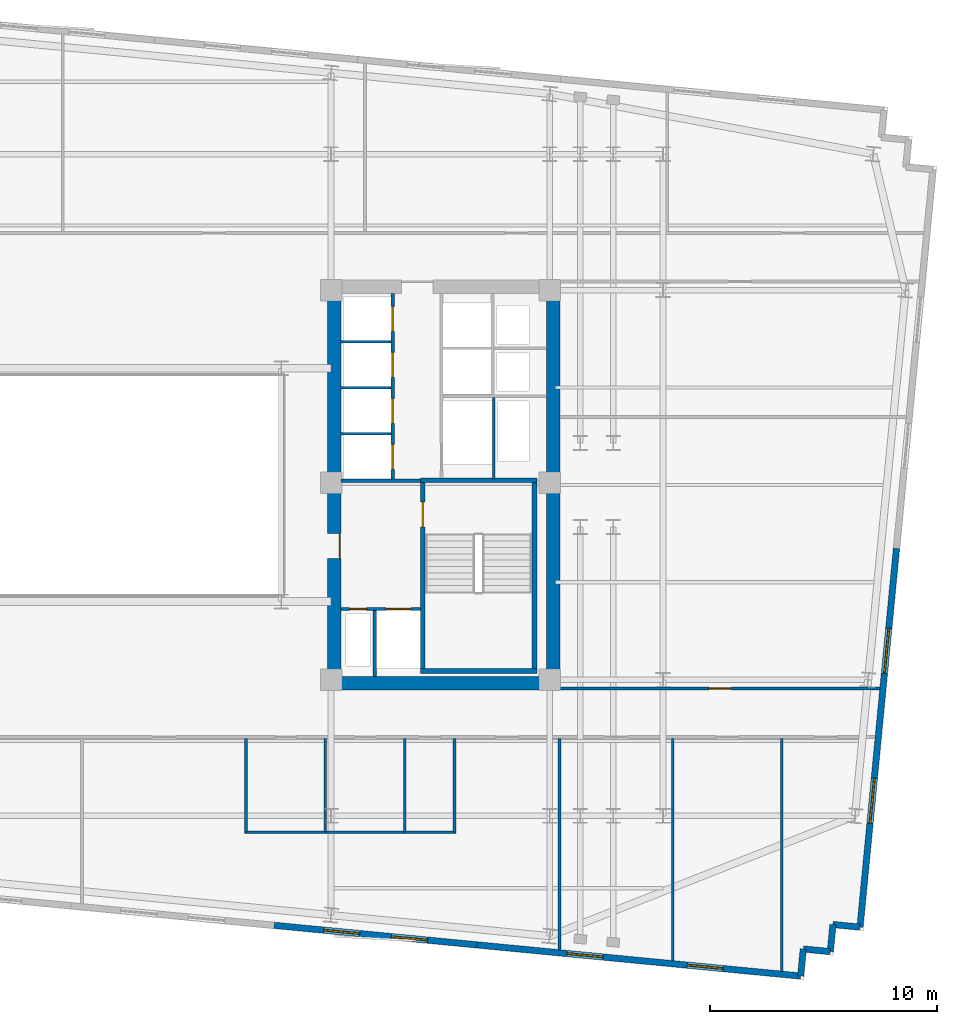
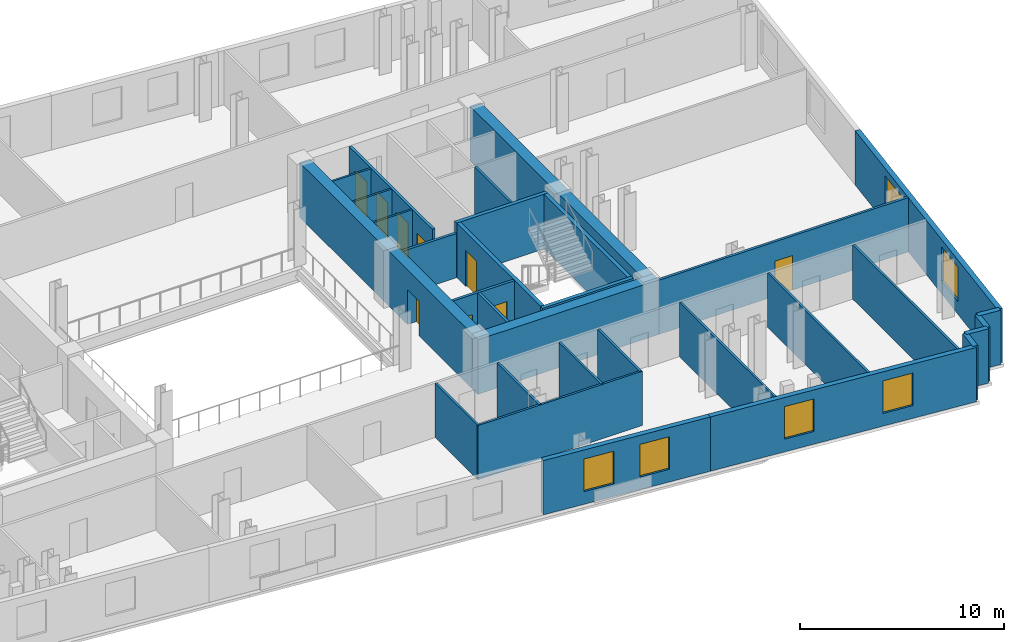
# One storey, part 5 of 9: 31 walls, 9 doors, 6 windows, 15 openings.
"""IFC4 building model written with IfcOpenShell, lengths in metres."""

from ifc_helpers import new_model, si_unit, direction, frame, frame_2d, origin, place, context, subcontext, project, spatial, rectangle, extrude, material, layer, layer_set, type_object, element, fill, save


model = new_model("IFC4")

# Units and contexts
model_context = context("Model", 3, precision=1e-05, world=origin(), true_north=direction((0.0, 1.0)))
body_context = subcontext(model_context, "Body", "Model", "MODEL_VIEW")
ifc_project = project(units=[si_unit("LENGTHUNIT", "METRE"), si_unit("AREAUNIT", "SQUARE_METRE"), si_unit("VOLUMEUNIT", "CUBIC_METRE"), si_unit("PLANEANGLEUNIT", "RADIAN"), si_unit("MASSUNIT", "GRAM", prefix="KILO")], contexts=[model_context])

# Site, building, storey
site_placement = place(None, origin())
site = spatial("IfcSite", under=ifc_project, at=site_placement, CompositionType="ELEMENT")
building_placement = place(site_placement, origin())
building = spatial("IfcBuilding", under=site, at=building_placement, Name="Velakula Bourse", CompositionType="ELEMENT")
storey_placement = place(building_placement, frame((0.0, 0.0, 170.75)))
storey = spatial("IfcBuildingStorey", under=building, at=storey_placement, Name="L46", CompositionType="ELEMENT", Elevation=170.75)

# Wall, opening, door
ifc_material_1 = material(Name="Concrete M50 (fck 50 MPa)", Category="concrete")
ifc_layer_1 = layer(ifc_material_1, 0.2099609375, Name="Concrete M50 (fck 50 MPa)", Category="concrete")
ifc_layer_set_1 = layer_set([ifc_layer_1], Name="Concrete M50 (fck 50 MPa)")
wall_type_1 = type_object("IfcWallType", Name="WL-CORE-210", PredefinedType="SHEAR", material=ifc_layer_set_1)
wall_1_placement = place(storey_placement, frame((12.9951171875, -8.10009765625, 0.0), z_axis=(0.0, 0.0, 1.0), x_axis=(0.0, 1.0, 0.0)))
wall_1 = element("IfcWall", 1, at=wall_1_placement, inside=storey, type_object=wall_type_1, Name="L46 Core E Stairwell Shear Wall IN", PredefinedType="SHEAR", context=body_context, shape_type="SweptSolid", body=[
    extrude(rectangle(XDim=8.2001953125, YDim=0.2099609375, at=frame_2d((4.10009765625, 0.0))), origin(), (0.0, 0.0, 1.0), 3.27001953125),
])
opening_1_placement = place(wall_1_placement, frame((6.25, 0.0, 0.0)))
opening_1 = element("IfcOpeningElement", 2, at=opening_1_placement, cuts=wall_1, Name="Opening D-STE1", PredefinedType="OPENING", context=body_context, shape_type="SweptSolid", body=[
    extrude(rectangle(XDim=1.10009765625, YDim=2.14990234375, at=frame_2d((0.550048828125, 1.074951171875))), frame((0.0, 0.114990234375, 0.0), z_axis=(0.0, -1.0, 0.0), x_axis=(1.0, 0.0, 0.0)), (0.0, 0.0, 1.0), 0.22998046875),
])
ifc_material_2 = material(Name="Galvanised painted hollow steel fire door", Category="steel")
door_type_1 = type_object("IfcDoorType", Name="DR-FD120-1100x2150", OperationType="NOTDEFINED", PredefinedType="DOOR", material=ifc_material_2)
door_1_placement = place(opening_1_placement, origin())
door_1 = element("IfcDoor", 3, at=door_1_placement, inside=storey, type_object=door_type_1, Name="L46 Stair ST-E1 Fire Door", OperationType="SINGLE_SWING_RIGHT", OverallHeight=2.14990234375, OverallWidth=1.10009765625, PredefinedType="DOOR", context=body_context, shape_type="SweptSolid", body=[
    extrude(rectangle(XDim=1.10009765625, YDim=2.14990234375, at=frame_2d((0.550048828125, 1.074951171875))), frame((0.0, 0.02490234375, 0.0), z_axis=(0.0, -1.0, 0.0), x_axis=(1.0, 0.0, 0.0)), (0.0, 0.0, 1.0), 0.050048828125),
])
fill(opening_1, door_1)

# Walls
wall_2_placement = place(storey_placement, frame((17.925048828125, -8.10009765625, 0.0), z_axis=(0.0, 0.0, 1.0), x_axis=(0.0, 1.0, 0.0)))
element("IfcWall", 4, at=wall_2_placement, inside=storey, type_object=wall_type_1, Name="L46 Core E Stairwell Shear Wall OUT", PredefinedType="SHEAR", context=body_context, shape_type="SweptSolid", body=[
    extrude(rectangle(XDim=8.2001953125, YDim=0.2099609375, at=frame_2d((4.10009765625, 0.0))), origin(), (0.0, 0.0, 1.0), 3.27001953125),
])
for number, where, z_axis, x_axis, name in (
    (5, (12.889892578125, -8.205078125, 0.0), (0.0, 0.0, 1.0), (1.0, 0.0, 0.0), "L46 Core E Stairwell Shear Wall S"),
    (6, (18.030029296875, 0.205078125, 0.0), (0.0, 0.0, 1.0), (-1.0, 0.0, 0.0), "L46 Core E Stairwell Shear Wall N"),
):
    element("IfcWall", number, at=place(storey_placement, frame(where, z_axis=z_axis, x_axis=x_axis)), inside=storey, type_object=wall_type_1, Name=name, PredefinedType="SHEAR", context=body_context, shape_type="SweptSolid", body=[
        extrude(rectangle(XDim=5.14013671875, YDim=0.2099609375, at=frame_2d((2.570068359375, 0.0))), origin(), (0.0, 0.0, 1.0), 3.27001953125),
    ])
ifc_material_3 = material(Name="Concrete M70 (fck 70 MPa)", Category="concrete")
ifc_layer_2 = layer(ifc_material_3, 0.60009765625, Name="Concrete M70 (fck 70 MPa)", Category="concrete")
ifc_layer_set_2 = layer_set([ifc_layer_2], Name="Concrete M70 (fck 70 MPa)")
wall_type_2 = type_object("IfcWallType", Name="WL-CORE-600", PredefinedType="SHEAR", material=ifc_layer_set_2)
wall_3_placement = place(storey_placement, frame((8.800048828125, -8.75, 0.0), z_axis=(0.0, 0.0, 1.0), x_axis=(1.0, 0.0, 0.0)))
element("IfcWall", 7, at=wall_3_placement, inside=storey, type_object=wall_type_2, Name="L46 Core E Shear Wall S", PredefinedType="SHEAR", context=body_context, shape_type="SweptSolid", body=[
    extrude(rectangle(XDim=10.25, YDim=0.60009765625, at=frame_2d((5.125, 0.0))), origin(), (0.0, 0.0, 1.0), 3.27001953125),
])

# Wall, opening, door
wall_4_placement = place(storey_placement, frame((9.10009765625, -8.449951171875, 0.0), z_axis=(0.0, 0.0, 1.0), x_axis=(0.0, 1.0, 0.0)))
wall_4 = element("IfcWall", 8, at=wall_4_placement, inside=storey, type_object=wall_type_2, Name="L46 Core E Shear Wall W", PredefinedType="SHEAR", context=body_context, shape_type="SweptSolid", body=[
    extrude(rectangle(XDim=16.89990234375, YDim=0.60009765625, at=frame_2d((8.449951171875, 0.0))), origin(), (0.0, 0.0, 1.0), 3.27001953125),
])
opening_2_placement = place(wall_4_placement, frame((5.199951171875, 0.0, 0.0)))
opening_2 = element("IfcOpeningElement", 9, at=opening_2_placement, cuts=wall_4, Name="Opening D-FLE", PredefinedType="OPENING", context=body_context, shape_type="SweptSolid", body=[
    extrude(rectangle(XDim=1.10009765625, YDim=2.080078125, at=frame_2d((0.550048828125, 1.0400390625))), frame((0.0, 0.31005859375, 0.0), z_axis=(0.0, -1.0, 0.0), x_axis=(1.0, 0.0, 0.0)), (0.0, 0.0, 1.0), 0.6201171875),
])
door_type_2 = type_object("IfcDoorType", Name="DR-FD120-1100", OperationType="NOTDEFINED", PredefinedType="DOOR", material=ifc_material_2)
door_2_placement = place(opening_2_placement, origin())
door_2 = element("IfcDoor", 10, at=door_2_placement, inside=storey, type_object=door_type_2, Name="L46 Firefighting Lobby E Corridor Fire Door", OperationType="SINGLE_SWING_RIGHT", OverallHeight=2.080078125, OverallWidth=1.10009765625, PredefinedType="DOOR", context=body_context, shape_type="SweptSolid", body=[
    extrude(rectangle(XDim=1.10009765625, YDim=2.080078125, at=frame_2d((0.550048828125, 1.0400390625))), frame((0.0, -0.205078125, 0.0), z_axis=(0.0, -1.0, 0.0), x_axis=(1.0, 0.0, 0.0)), (0.0, 0.0, 1.0), 0.050048828125),
])
fill(opening_2, door_2)

# Wall
wall_5_placement = place(storey_placement, frame((18.75, -8.449951171875, 0.0), z_axis=(0.0, 0.0, 1.0), x_axis=(0.0, 1.0, 0.0)))
element("IfcWall", 11, at=wall_5_placement, inside=storey, type_object=wall_type_2, Name="L46 Core E Shear Wall E", PredefinedType="SHEAR", context=body_context, shape_type="SweptSolid", body=[
    extrude(rectangle(XDim=16.89990234375, YDim=0.60009765625, at=frame_2d((8.449951171875, 0.0))), origin(), (0.0, 0.0, 1.0), 3.27001953125),
])

# Wall, openings, windows
ifc_material_4 = material(Name="Red kilned clay facing brick masonry", Category="masonry")
ifc_layer_3 = layer(ifc_material_4, 0.280029296875, Name="Red kilned clay facing brick masonry", Category="masonry")
ifc_layer_set_3 = layer_set([ifc_layer_3], Name="Red kilned clay facing brick masonry")
wall_type_3 = type_object("IfcWallType", Name="WL-EXT-BRK-280", PredefinedType="STANDARD", material=ifc_layer_set_3)
wall_6_placement = place(storey_placement, frame((15.398681640625, -20.295654296875, 0.0), z_axis=(0.0, 0.0, 1.0), x_axis=(-0.995394455533, 0.09586385082, 0.0)))
wall_6 = element("IfcWall", 12, at=wall_6_placement, inside=storey, type_object=wall_type_3, Name="L46 S Brick Spandrel Wall B4", PredefinedType="STANDARD", context=body_context, shape_type="SweptSolid", body=[
    extrude(rectangle(XDim=9.000244140625, YDim=0.280029296875, at=frame_2d((4.5, 0.0))), origin(), (0.0, 0.0, 1.0), 3.25),
])
opening_3_placement = place(wall_6_placement, frame((2.199951171875, 0.0, 0.760009765625)))
opening_3 = element("IfcOpeningElement", 13, at=opening_3_placement, cuts=wall_6, Name="Opening W-02", PredefinedType="OPENING", context=body_context, shape_type="SweptSolid", body=[
    extrude(rectangle(XDim=1.60009765625, YDim=1.949951171875, at=frame_2d((0.800048828125, 0.97509765625))), frame((0.0, 0.14990234375, 0.0), z_axis=(0.0, -1.0, 0.0), x_axis=(1.0, 0.0, 0.0)), (0.0, 0.0, 1.0), 0.300048828125),
])
opening_4_placement = place(wall_6_placement, frame((5.199951171875, 0.0, 0.760009765625)))
opening_4 = element("IfcOpeningElement", 14, at=opening_4_placement, cuts=wall_6, Name="Opening W-02", PredefinedType="OPENING", context=body_context, shape_type="SweptSolid", body=[
    extrude(rectangle(XDim=1.60009765625, YDim=1.949951171875, at=frame_2d((0.800048828125, 0.97509765625))), frame((0.0, 0.14990234375, 0.0), z_axis=(0.0, -1.0, 0.0), x_axis=(1.0, 0.0, 0.0)), (0.0, 0.0, 1.0), 0.300048828125),
])
ifc_material_5 = material(Name="Double-glazed solar-control Low-E glass", Category="glass")
window_type_1 = type_object("IfcWindowType", Name="WIN-TWR-1600x2100", PartitioningType="SINGLE_PANEL", PredefinedType="WINDOW", material=ifc_material_5)
window_1_placement = place(opening_3_placement, origin())
window_1 = element("IfcWindow", 15, at=window_1_placement, inside=storey, type_object=window_type_1, Name="L46 Deep-Set Recessed Window 1", OverallHeight=1.949951171875, OverallWidth=1.60009765625, PartitioningType="SINGLE_PANEL", PredefinedType="WINDOW", context=body_context, shape_type="SweptSolid", body=[
    extrude(rectangle(XDim=1.60009765625, YDim=1.949951171875, at=frame_2d((0.800048828125, 0.97509765625))), frame((0.0, 0.030029296875, 0.0), z_axis=(0.0, -1.0, 0.0), x_axis=(1.0, 0.0, 0.0)), (0.0, 0.0, 1.0), 0.06005859375),
])
fill(opening_3, window_1)
window_2_placement = place(opening_4_placement, origin())
window_2 = element("IfcWindow", 16, at=window_2_placement, inside=storey, type_object=window_type_1, Name="L46 Deep-Set Recessed Window 2", OverallHeight=1.949951171875, OverallWidth=1.60009765625, PartitioningType="SINGLE_PANEL", PredefinedType="WINDOW", context=body_context, shape_type="SweptSolid", body=[
    extrude(rectangle(XDim=1.60009765625, YDim=1.949951171875, at=frame_2d((0.800048828125, 0.97509765625))), frame((0.0, 0.030029296875, 0.0), z_axis=(0.0, -1.0, 0.0), x_axis=(1.0, 0.0, 0.0)), (0.0, 0.0, 1.0), 0.06005859375),
])
fill(opening_4, window_2)

wall_7_placement = place(storey_placement, frame((29.672607421875, -21.669921875, 0.0), z_axis=(0.0, 0.0, 1.0), x_axis=(-0.995397230529, 0.095835032509, 0.0)))
wall_7 = element("IfcWall", 17, at=wall_7_placement, inside=storey, type_object=wall_type_3, Name="L46 S Brick Spandrel Wall B5", PredefinedType="STANDARD", context=body_context, shape_type="SweptSolid", body=[
    extrude(rectangle(XDim=14.33984375, YDim=0.280029296875, at=frame_2d((7.169921875, 0.0))), origin(), (0.0, 0.0, 1.0), 3.25),
])
opening_5_placement = place(wall_7_placement, frame((3.429931640625, 0.0, 0.760009765625)))
opening_5 = element("IfcOpeningElement", 18, at=opening_5_placement, cuts=wall_7, Name="Opening W-02", PredefinedType="OPENING", context=body_context, shape_type="SweptSolid", body=[
    extrude(rectangle(XDim=1.60009765625, YDim=1.949951171875, at=frame_2d((0.800048828125, 0.97509765625))), frame((0.0, 0.14990234375, 0.0), z_axis=(0.0, -1.0, 0.0), x_axis=(1.0, 0.0, 0.0)), (0.0, 0.0, 1.0), 0.300048828125),
])
opening_6_placement = place(wall_7_placement, frame((8.760009765625, 0.0, 0.760009765625)))
opening_6 = element("IfcOpeningElement", 19, at=opening_6_placement, cuts=wall_7, Name="Opening W-02", PredefinedType="OPENING", context=body_context, shape_type="SweptSolid", body=[
    extrude(rectangle(XDim=1.60009765625, YDim=1.949951171875, at=frame_2d((0.800048828125, 0.97509765625))), frame((0.0, 0.14990234375, 0.0), z_axis=(0.0, -1.0, 0.0), x_axis=(1.0, 0.0, 0.0)), (0.0, 0.0, 1.0), 0.300048828125),
])
window_3_placement = place(opening_5_placement, origin())
window_3 = element("IfcWindow", 20, at=window_3_placement, inside=storey, type_object=window_type_1, Name="L46 Deep-Set Recessed Window 1", OverallHeight=1.949951171875, OverallWidth=1.60009765625, PartitioningType="SINGLE_PANEL", PredefinedType="WINDOW", context=body_context, shape_type="SweptSolid", body=[
    extrude(rectangle(XDim=1.60009765625, YDim=1.949951171875, at=frame_2d((0.800048828125, 0.97509765625))), frame((0.0, 0.030029296875, 0.0), z_axis=(0.0, -1.0, 0.0), x_axis=(1.0, 0.0, 0.0)), (0.0, 0.0, 1.0), 0.06005859375),
])
fill(opening_5, window_3)
window_4_placement = place(opening_6_placement, origin())
window_4 = element("IfcWindow", 21, at=window_4_placement, inside=storey, type_object=window_type_1, Name="L46 Deep-Set Recessed Window 2", OverallHeight=1.949951171875, OverallWidth=1.60009765625, PartitioningType="SINGLE_PANEL", PredefinedType="WINDOW", context=body_context, shape_type="SweptSolid", body=[
    extrude(rectangle(XDim=1.60009765625, YDim=1.949951171875, at=frame_2d((0.800048828125, 0.97509765625))), frame((0.0, 0.030029296875, 0.0), z_axis=(0.0, -1.0, 0.0), x_axis=(1.0, 0.0, 0.0)), (0.0, 0.0, 1.0), 0.06005859375),
])
fill(opening_6, window_4)

wall_8_placement = place(storey_placement, frame((33.90087890625, -2.79833984375, 0.0), z_axis=(0.0, 0.0, 1.0), x_axis=(-0.095853434568, -0.99539545864, 0.0)))
wall_8 = element("IfcWall", 22, at=wall_8_placement, inside=storey, type_object=wall_type_3, Name="L46 E Brick End Wall W1", PredefinedType="STANDARD", context=body_context, shape_type="SweptSolid", body=[
    extrude(rectangle(XDim=16.7900390625, YDim=0.280029296875, at=frame_2d((8.39501953125, 0.0))), origin(), (0.0, 0.0, 1.0), 3.25),
])
opening_7_placement = place(wall_8_placement, frame((3.546630859375, 0.0, 0.760009765625)))
opening_7 = element("IfcOpeningElement", 23, at=opening_7_placement, cuts=wall_8, Name="Opening W-05", PredefinedType="OPENING", context=body_context, shape_type="SweptSolid", body=[
    extrude(rectangle(XDim=2.0, YDim=2.050048828125, at=frame_2d((1.0, 1.02490234375))), frame((0.0, 0.14990234375, 0.0), z_axis=(0.0, -1.0, 0.0), x_axis=(1.0, 0.0, 0.0)), (0.0, 0.0, 1.0), 0.300048828125),
])
opening_8_placement = place(wall_8_placement, frame((10.193359375, 0.0, 0.760009765625)))
opening_8 = element("IfcOpeningElement", 24, at=opening_8_placement, cuts=wall_8, Name="Opening W-05", PredefinedType="OPENING", context=body_context, shape_type="SweptSolid", body=[
    extrude(rectangle(XDim=2.0, YDim=2.050048828125, at=frame_2d((1.0, 1.02490234375))), frame((0.0, 0.14990234375, 0.0), z_axis=(0.0, -1.0, 0.0), x_axis=(1.0, 0.0, 0.0)), (0.0, 0.0, 1.0), 0.300048828125),
])
window_type_2 = type_object("IfcWindowType", Name="WIN-TWR-2000x2200", PartitioningType="DOUBLE_PANEL_VERTICAL", PredefinedType="WINDOW", material=ifc_material_5)
window_5_placement = place(opening_7_placement, origin())
window_5 = element("IfcWindow", 25, at=window_5_placement, inside=storey, type_object=window_type_2, Name="L46 Deep-Set Recessed Window 1", OverallHeight=2.050048828125, OverallWidth=2.0, PartitioningType="DOUBLE_PANEL_VERTICAL", PredefinedType="WINDOW", context=body_context, shape_type="SweptSolid", body=[
    extrude(rectangle(XDim=2.0, YDim=2.050048828125, at=frame_2d((1.0, 1.02490234375))), frame((0.0, 0.030029296875, 0.0), z_axis=(0.0, -1.0, 0.0), x_axis=(1.0, 0.0, 0.0)), (0.0, 0.0, 1.0), 0.06005859375),
])
fill(opening_7, window_5)
window_6_placement = place(opening_8_placement, origin())
window_6 = element("IfcWindow", 26, at=window_6_placement, inside=storey, type_object=window_type_2, Name="L46 Deep-Set Recessed Window 2", OverallHeight=2.050048828125, OverallWidth=2.0, PartitioningType="DOUBLE_PANEL_VERTICAL", PredefinedType="WINDOW", context=body_context, shape_type="SweptSolid", body=[
    extrude(rectangle(XDim=2.0, YDim=2.050048828125, at=frame_2d((1.0, 1.02490234375))), frame((0.0, 0.030029296875, 0.0), z_axis=(0.0, -1.0, 0.0), x_axis=(1.0, 0.0, 0.0)), (0.0, 0.0, 1.0), 0.06005859375),
])
fill(opening_8, window_6)

# Walls
for number, where, z_axis, x_axis, name in (
    (27, (29.672607421875, -21.669921875, 0.0), (0.0, 0.0, 1.0), (0.095836473879, 0.995397091755, 0.0), "L46 Serrated Corner Brick Wall SE-1"),
    (28, (29.78759765625, -20.4755859375, 0.0), (0.0, 0.0, 1.0), (0.995397091755, -0.095836473879, 0.0), "L46 Serrated Corner Brick Wall SE-2"),
):
    element("IfcWall", number, at=place(storey_placement, frame(where, z_axis=z_axis, x_axis=x_axis)), inside=storey, type_object=wall_type_3, Name=name, PredefinedType="STANDARD", context=body_context, shape_type="SweptSolid", body=[
        extrude(rectangle(XDim=1.199951171875, YDim=0.280029296875, at=frame_2d((0.60009765625, 0.0))), origin(), (0.0, 0.0, 1.0), 3.25),
    ])
wall_9_placement = place(storey_placement, frame((30.98193359375, -20.590576171875, 0.0), z_axis=(0.0, 0.0, 1.0), x_axis=(0.096018626938, 0.995379537303, 0.0)))
element("IfcWall", 29, at=wall_9_placement, inside=storey, type_object=wall_type_3, Name="L46 Serrated Corner Brick Wall SE-3", PredefinedType="STANDARD", context=body_context, shape_type="SweptSolid", body=[
    extrude(rectangle(XDim=1.2001953125, YDim=0.280029296875, at=frame_2d((0.60009765625, 0.0))), origin(), (0.0, 0.0, 1.0), 3.25),
])
wall_10_placement = place(storey_placement, frame((31.09716796875, -19.39599609375, 0.0), z_axis=(0.0, 0.0, 1.0), x_axis=(0.995397091755, -0.095836473879, 0.0)))
element("IfcWall", 30, at=wall_10_placement, inside=storey, type_object=wall_type_3, Name="L46 Serrated Corner Brick Wall SE-4", PredefinedType="STANDARD", context=body_context, shape_type="SweptSolid", body=[
    extrude(rectangle(XDim=1.199951171875, YDim=0.280029296875, at=frame_2d((0.60009765625, 0.0))), origin(), (0.0, 0.0, 1.0), 3.25),
])
ifc_material_6 = material(Name="Fire-rated double-layer gypsum drywall partition", Category="gypsum")
ifc_layer_4 = layer(ifc_material_6, 0.1201171875, Name="Fire-rated double-layer gypsum drywall partition", Category="gypsum")
ifc_layer_set_4 = layer_set([ifc_layer_4], Name="Fire-rated double-layer gypsum drywall partition")
wall_type_4 = type_object("IfcWallType", Name="WL-PART-120", PredefinedType="STANDARD", material=ifc_layer_set_4)
for number, where, z_axis, x_axis, name in (
    (31, (9.39990234375, 2.2548828125, 0.0), (0.0, 0.0, 1.0), (1.0, 0.0, 0.0), "L46 Interior Partition WL-CRE-L46-BDIV-0"),
    (32, (9.39990234375, 4.284912109375, 0.0), (0.0, 0.0, 1.0), (1.0, 0.0, 0.0), "L46 Interior Partition WL-CRE-L46-BDIV-1"),
    (33, (9.39990234375, 6.31494140625, 0.0), (0.0, 0.0, 1.0), (1.0, 0.0, 0.0), "L46 Interior Partition WL-CRE-L46-BDIV-2"),
):
    element("IfcWall", number, at=place(storey_placement, frame(where, z_axis=z_axis, x_axis=x_axis)), inside=storey, type_object=wall_type_4, Name=name, PredefinedType="STANDARD", context=body_context, shape_type="SweptSolid", body=[
        extrude(rectangle(XDim=2.2001953125, YDim=0.110107421875, at=frame_2d((1.10009765625, 0.0))), origin(), (0.0, 0.0, 1.0), 3.25),
    ])
wall_11_placement = place(storey_placement, frame((16.125, 0.27001953125, 0.0), z_axis=(0.0, 0.0, 1.0), x_axis=(0.0, 1.0, 0.0)))
element("IfcWall", 34, at=wall_11_placement, inside=storey, type_object=wall_type_4, Name="L46 Interior Partition WL-CRE-L46-SVL-E", PredefinedType="STANDARD", context=body_context, shape_type="SweptSolid", body=[
    extrude(rectangle(XDim=3.590087890625, YDim=0.1201171875, at=frame_2d((1.794921875, 0.0))), origin(), (0.0, 0.0, 1.0), 3.25),
])
wall_12_placement = place(storey_placement, frame((5.139892578125, -15.320068359375, 0.0), z_axis=(0.0, 0.0, 1.0), x_axis=(1.0, 0.0, 0.0)))
element("IfcWall", 35, at=wall_12_placement, inside=storey, type_object=wall_type_4, Name="L46 Interior Partition WL-WC-L46-BACK", PredefinedType="STANDARD", context=body_context, shape_type="SweptSolid", body=[
    extrude(rectangle(XDim=9.320068359375, YDim=0.1201171875, at=frame_2d((4.66015625, 0.0))), origin(), (0.0, 0.0, 1.0), 3.25),
])
for number, where, z_axis, x_axis, name in (
    (36, (5.199951171875, -15.320068359375, 0.0), (0.0, 0.0, 1.0), (0.0, 1.0, 0.0), "L46 Interior Partition WL-WC-L46-V1"),
    (37, (8.699951171875, -15.320068359375, 0.0), (0.0, 0.0, 1.0), (0.0, 1.0, 0.0), "L46 Interior Partition WL-WC-L46-V2"),
    (38, (12.199951171875, -15.320068359375, 0.0), (0.0, 0.0, 1.0), (0.0, 1.0, 0.0), "L46 Interior Partition WL-WC-L46-V3"),
    (39, (14.39990234375, -15.320068359375, 0.0), (0.0, 0.0, 1.0), (0.0, 1.0, 0.0), "L46 Interior Partition WL-WC-L46-V4"),
):
    element("IfcWall", number, at=place(storey_placement, frame(where, z_axis=z_axis, x_axis=x_axis)), inside=storey, type_object=wall_type_4, Name=name, PredefinedType="STANDARD", context=body_context, shape_type="SweptSolid", body=[
        extrude(rectangle(XDim=4.130126953125, YDim=0.1201171875, at=frame_2d((2.06494140625, 0.0))), origin(), (0.0, 0.0, 1.0), 3.25),
    ])
wall_13_placement = place(storey_placement, frame((19.028076171875, -20.5244140625, 0.0), z_axis=(0.0, 0.0, 1.0), x_axis=(0.0, 1.0, 0.0)))
element("IfcWall", 40, at=wall_13_placement, inside=storey, type_object=wall_type_4, Name="L46 Interior Partition WL-INT-L46-SR-D8", PredefinedType="STANDARD", context=body_context, shape_type="SweptSolid", body=[
    extrude(rectangle(XDim=9.33447265625, YDim=0.1201171875, at=frame_2d((4.667236328125, 0.0))), origin(), (0.0, 0.0, 1.0), 3.25),
])
wall_14_placement = place(storey_placement, frame((24.02587890625, -21.005615234375, 0.0), z_axis=(0.0, 0.0, 1.0), x_axis=(0.0, 1.0, 0.0)))
element("IfcWall", 41, at=wall_14_placement, inside=storey, type_object=wall_type_4, Name="L46 Interior Partition WL-INT-L46-SR-D9", PredefinedType="STANDARD", context=body_context, shape_type="SweptSolid", body=[
    extrude(rectangle(XDim=9.815673828125, YDim=0.1201171875, at=frame_2d((4.90771484375, 0.0))), origin(), (0.0, 0.0, 1.0), 3.25),
])
wall_15_placement = place(storey_placement, frame((28.839111328125, -21.46923828125, 0.0), z_axis=(0.0, 0.0, 1.0), x_axis=(0.0, 1.0, 0.0)))
element("IfcWall", 42, at=wall_15_placement, inside=storey, type_object=wall_type_4, Name="L46 Interior Partition WL-INT-L46-SR-D10", PredefinedType="STANDARD", context=body_context, shape_type="SweptSolid", body=[
    extrude(rectangle(XDim=10.279296875, YDim=0.1201171875, at=frame_2d((5.1396484375, 0.0))), origin(), (0.0, 0.0, 1.0), 3.25),
])

# Wall, opening, door
ifc_layer_5 = layer(ifc_material_6, 0.139892578125, Name="Fire-rated double-layer gypsum drywall partition", Category="gypsum")
ifc_layer_set_5 = layer_set([ifc_layer_5], Name="Fire-rated double-layer gypsum drywall partition")
wall_type_5 = type_object("IfcWallType", Name="WL-PART-140", PredefinedType="STANDARD", material=ifc_layer_set_5)
wall_16_placement = place(storey_placement, frame((19.050048828125, -8.97998046875, 0.0), z_axis=(0.0, 0.0, 1.0), x_axis=(1.0, 0.0, 0.0)))
wall_16 = element("IfcWall", 43, at=wall_16_placement, inside=storey, type_object=wall_type_5, Name="L46 Interior Partition WL-INT-L46-E-SC", PredefinedType="STANDARD", context=body_context, shape_type="SweptSolid", body=[
    extrude(rectangle(XDim=14.135009765625, YDim=0.139892578125, at=frame_2d((7.0673828125, 0.0))), origin(), (0.0, 0.0, 1.0), 3.25),
])
opening_9_placement = place(wall_16_placement, frame((6.5673828125, 0.0, 0.0)))
opening_9 = element("IfcOpeningElement", 44, at=opening_9_placement, cuts=wall_16, Name="Opening D-OF1", PredefinedType="OPENING", context=body_context, shape_type="SweptSolid", body=[
    extrude(rectangle(XDim=1.0, YDim=2.080078125, at=frame_2d((0.5, 1.0400390625))), frame((0.0, 0.079833984375, 0.0), z_axis=(0.0, -1.0, 0.0), x_axis=(1.0, 0.0, 0.0)), (0.0, 0.0, 1.0), 0.159912109375),
])
ifc_material_7 = material(Name="Fire-rated hardwood flush architectural door", Category="wood")
door_type_3 = type_object("IfcDoorType", Name="DR-OFF-1000", OperationType="NOTDEFINED", PredefinedType="DOOR", material=ifc_material_7)
door_3_placement = place(opening_9_placement, origin())
door_3 = element("IfcDoor", 45, at=door_3_placement, inside=storey, type_object=door_type_3, Name="L46 Interest-Rate Swaps Workspace Door", OperationType="SINGLE_SWING_RIGHT", OverallHeight=2.080078125, OverallWidth=1.0, PredefinedType="DOOR", context=body_context, shape_type="SweptSolid", body=[
    extrude(rectangle(XDim=1.0, YDim=2.080078125, at=frame_2d((0.5, 1.0400390625))), frame((0.0, 0.02490234375, 0.0), z_axis=(0.0, -1.0, 0.0), x_axis=(1.0, 0.0, 0.0)), (0.0, 0.0, 1.0), 0.050048828125),
])
fill(opening_9, door_3)

# Wall, openings, doors
ifc_material_8 = material(Name="Autoclaved aerated concrete blockwork masonry", Category="masonry")
ifc_layer_6 = layer(ifc_material_8, 0.14990234375, Name="Autoclaved aerated concrete blockwork masonry", Category="masonry")
ifc_layer_set_6 = layer_set([ifc_layer_6], Name="Autoclaved aerated concrete blockwork masonry")
wall_type_6 = type_object("IfcWallType", Name="WL-SHAFT-150", PredefinedType="STANDARD", material=ifc_layer_set_6)
wall_17_placement = place(storey_placement, frame((9.39990234375, -5.47509765625, 0.0), z_axis=(0.0, 0.0, 1.0), x_axis=(1.0, 0.0, 0.0)))
wall_17 = element("IfcWall", 46, at=wall_17_placement, inside=storey, type_object=wall_type_6, Name="L46 Interior Partition WL-CRE-L46-FFL-N", PredefinedType="STANDARD", context=body_context, shape_type="SweptSolid", body=[
    extrude(rectangle(XDim=3.4951171875, YDim=0.14990234375, at=frame_2d((1.74755859375, 0.0))), origin(), (0.0, 0.0, 1.0), 3.25),
])
opening_10_placement = place(wall_17_placement, frame((1.97509765625, 0.0, 0.0)))
opening_10 = element("IfcOpeningElement", 47, at=opening_10_placement, cuts=wall_17, Name="Opening LD-FFL-2", PredefinedType="OPENING", context=body_context, shape_type="SweptSolid", body=[
    extrude(rectangle(XDim=1.10009765625, YDim=2.14990234375, at=frame_2d((0.550048828125, 1.074951171875))), frame((0.0, 0.0849609375, 0.0), z_axis=(0.0, -1.0, 0.0), x_axis=(1.0, 0.0, 0.0)), (0.0, 0.0, 1.0), 0.169921875),
])
opening_11_placement = place(wall_17_placement, frame((0.375, 0.0, 0.0)))
opening_11 = element("IfcOpeningElement", 48, at=opening_11_placement, cuts=wall_17, Name="Opening D-RS1", PredefinedType="OPENING", context=body_context, shape_type="SweptSolid", body=[
    extrude(rectangle(XDim=0.75, YDim=2.050048828125, at=frame_2d((0.375, 1.02490234375))), frame((0.0, 0.0849609375, 0.0), z_axis=(0.0, -1.0, 0.0), x_axis=(1.0, 0.0, 0.0)), (0.0, 0.0, 1.0), 0.169921875),
])
door_type_4 = type_object("IfcDoorType", Name="DR-RISER-800", OperationType="NOTDEFINED", PredefinedType="DOOR", material=ifc_material_2)
door_4_placement = place(opening_11_placement, origin())
door_4 = element("IfcDoor", 49, at=door_4_placement, inside=storey, type_object=door_type_4, Name="L46 Fire Riser Access Door", OperationType="SINGLE_SWING_LEFT", OverallHeight=2.050048828125, OverallWidth=0.75, PredefinedType="DOOR", context=body_context, shape_type="SweptSolid", body=[
    extrude(rectangle(XDim=0.75, YDim=2.050048828125, at=frame_2d((0.375, 1.02490234375))), frame((0.0, 0.02490234375, 0.0), z_axis=(0.0, -1.0, 0.0), x_axis=(1.0, 0.0, 0.0)), (0.0, 0.0, 1.0), 0.050048828125),
])
fill(opening_11, door_4)
ifc_material_9 = material(Name="Brushed grade 316 stainless steel", Category="steel")
door_type_5 = type_object("IfcDoorType", Name="DR-SLIDE-FFL-1100", OperationType="DOUBLE_DOOR_SLIDING", PredefinedType="DOOR", material=ifc_material_9)
door_5_placement = place(opening_10_placement, origin())
door_5 = element("IfcDoor", 50, at=door_5_placement, inside=storey, type_object=door_type_5, Name="L46 Firefighting Lift FFL-2 Sliding Landing Door", OperationType="DOUBLE_DOOR_SLIDING", OverallHeight=2.14990234375, OverallWidth=1.10009765625, PredefinedType="DOOR", context=body_context, shape_type="SweptSolid", body=[
    extrude(rectangle(XDim=1.10009765625, YDim=2.14990234375, at=frame_2d((0.550048828125, 1.074951171875))), frame((0.0, 0.02490234375, 0.0), z_axis=(0.0, -1.0, 0.0), x_axis=(1.0, 0.0, 0.0)), (0.0, 0.0, 1.0), 0.050048828125),
])
fill(opening_10, door_5)

# Walls
wall_18_placement = place(storey_placement, frame((10.875, -8.449951171875, 0.0), z_axis=(0.0, 0.0, 1.0), x_axis=(0.0, 1.0, 0.0)))
element("IfcWall", 51, at=wall_18_placement, inside=storey, type_object=wall_type_6, Name="L46 Interior Partition WL-CRE-L46-FR-DIV", PredefinedType="STANDARD", context=body_context, shape_type="SweptSolid", body=[
    extrude(rectangle(XDim=2.89990234375, YDim=0.14990234375, at=frame_2d((1.449951171875, 0.0))), origin(), (0.0, 0.0, 1.0), 3.25),
])
wall_19_placement = place(storey_placement, frame((9.39990234375, 0.18994140625, 0.0), z_axis=(0.0, 0.0, 1.0), x_axis=(1.0, 0.0, 0.0)))
element("IfcWall", 52, at=wall_19_placement, inside=storey, type_object=wall_type_6, Name="L46 Interior Partition WL-CRE-L46-FF-TOP", PredefinedType="STANDARD", context=body_context, shape_type="SweptSolid", body=[
    extrude(rectangle(XDim=3.489990234375, YDim=0.14990234375, at=frame_2d((1.7451171875, 0.0))), origin(), (0.0, 0.0, 1.0), 2.64501953125),
])

# Wall, openings, doors
wall_20_placement = place(storey_placement, frame((11.675048828125, 0.27001953125, 0.0), z_axis=(0.0, 0.0, 1.0), x_axis=(0.0, 1.0, 0.0)))
wall_20 = element("IfcWall", 53, at=wall_20_placement, inside=storey, type_object=wall_type_6, Name="L46 Interior Partition WL-CRE-L46-BANK-F", PredefinedType="STANDARD", context=body_context, shape_type="SweptSolid", body=[
    extrude(rectangle(XDim=8.179931640625, YDim=0.14990234375, at=frame_2d((4.08984375, 0.0))), origin(), (0.0, 0.0, 1.0), 3.25),
])
opening_12_placement = place(wall_20_placement, frame((0.419921875, 0.0, 0.0)))
opening_12 = element("IfcOpeningElement", 54, at=opening_12_placement, cuts=wall_20, Name="Opening LD-P5", PredefinedType="OPENING", context=body_context, shape_type="SweptSolid", body=[
    extrude(rectangle(XDim=1.10009765625, YDim=2.10009765625, at=frame_2d((0.550048828125, 1.050048828125))), frame((0.0, 0.0849609375, 0.0), z_axis=(0.0, -1.0, 0.0), x_axis=(1.0, 0.0, 0.0)), (0.0, 0.0, 1.0), 0.169921875),
])
opening_13_placement = place(wall_20_placement, frame((2.449951171875, 0.0, 0.0)))
opening_13 = element("IfcOpeningElement", 55, at=opening_13_placement, cuts=wall_20, Name="Opening LD-P6", PredefinedType="OPENING", context=body_context, shape_type="SweptSolid", body=[
    extrude(rectangle(XDim=1.10009765625, YDim=2.10009765625, at=frame_2d((0.550048828125, 1.050048828125))), frame((0.0, 0.0849609375, 0.0), z_axis=(0.0, -1.0, 0.0), x_axis=(1.0, 0.0, 0.0)), (0.0, 0.0, 1.0), 0.169921875),
])
opening_14_placement = place(wall_20_placement, frame((4.47998046875, 0.0, 0.0)))
opening_14 = element("IfcOpeningElement", 56, at=opening_14_placement, cuts=wall_20, Name="Opening LD-P7", PredefinedType="OPENING", context=body_context, shape_type="SweptSolid", body=[
    extrude(rectangle(XDim=1.10009765625, YDim=2.10009765625, at=frame_2d((0.550048828125, 1.050048828125))), frame((0.0, 0.0849609375, 0.0), z_axis=(0.0, -1.0, 0.0), x_axis=(1.0, 0.0, 0.0)), (0.0, 0.0, 1.0), 0.169921875),
])
opening_15_placement = place(wall_20_placement, frame((6.510009765625, 0.0, 0.0)))
opening_15 = element("IfcOpeningElement", 57, at=opening_15_placement, cuts=wall_20, Name="Opening LD-P8", PredefinedType="OPENING", context=body_context, shape_type="SweptSolid", body=[
    extrude(rectangle(XDim=1.10009765625, YDim=2.10009765625, at=frame_2d((0.550048828125, 1.050048828125))), frame((0.0, 0.0849609375, 0.0), z_axis=(0.0, -1.0, 0.0), x_axis=(1.0, 0.0, 0.0)), (0.0, 0.0, 1.0), 0.169921875),
])
door_type_6 = type_object("IfcDoorType", Name="DR-SLIDE-LD-1100", OperationType="DOUBLE_DOOR_SLIDING", PredefinedType="DOOR", material=ifc_material_9)
door_6_placement = place(opening_12_placement, origin())
door_6 = element("IfcDoor", 58, at=door_6_placement, inside=storey, type_object=door_type_6, Name="L46 Passenger Lift P5 Sliding Landing Door", OperationType="DOUBLE_DOOR_SLIDING", OverallHeight=2.10009765625, OverallWidth=1.10009765625, PredefinedType="DOOR", context=body_context, shape_type="SweptSolid", body=[
    extrude(rectangle(XDim=1.10009765625, YDim=2.10009765625, at=frame_2d((0.550048828125, 1.050048828125))), frame((0.0, 0.02490234375, 0.0), z_axis=(0.0, -1.0, 0.0), x_axis=(1.0, 0.0, 0.0)), (0.0, 0.0, 1.0), 0.050048828125),
])
fill(opening_12, door_6)
door_7_placement = place(opening_13_placement, origin())
door_7 = element("IfcDoor", 59, at=door_7_placement, inside=storey, type_object=door_type_6, Name="L46 Passenger Lift P6 Sliding Landing Door", OperationType="DOUBLE_DOOR_SLIDING", OverallHeight=2.10009765625, OverallWidth=1.10009765625, PredefinedType="DOOR", context=body_context, shape_type="SweptSolid", body=[
    extrude(rectangle(XDim=1.10009765625, YDim=2.10009765625, at=frame_2d((0.550048828125, 1.050048828125))), frame((0.0, 0.02490234375, 0.0), z_axis=(0.0, -1.0, 0.0), x_axis=(1.0, 0.0, 0.0)), (0.0, 0.0, 1.0), 0.050048828125),
])
fill(opening_13, door_7)
door_8_placement = place(opening_14_placement, origin())
door_8 = element("IfcDoor", 60, at=door_8_placement, inside=storey, type_object=door_type_6, Name="L46 Passenger Lift P7 Sliding Landing Door", OperationType="DOUBLE_DOOR_SLIDING", OverallHeight=2.10009765625, OverallWidth=1.10009765625, PredefinedType="DOOR", context=body_context, shape_type="SweptSolid", body=[
    extrude(rectangle(XDim=1.10009765625, YDim=2.10009765625, at=frame_2d((0.550048828125, 1.050048828125))), frame((0.0, 0.02490234375, 0.0), z_axis=(0.0, -1.0, 0.0), x_axis=(1.0, 0.0, 0.0)), (0.0, 0.0, 1.0), 0.050048828125),
])
fill(opening_14, door_8)
door_9_placement = place(opening_15_placement, origin())
door_9 = element("IfcDoor", 61, at=door_9_placement, inside=storey, type_object=door_type_6, Name="L46 Passenger Lift P8 Sliding Landing Door", OperationType="DOUBLE_DOOR_SLIDING", OverallHeight=2.10009765625, OverallWidth=1.10009765625, PredefinedType="DOOR", context=body_context, shape_type="SweptSolid", body=[
    extrude(rectangle(XDim=1.10009765625, YDim=2.10009765625, at=frame_2d((0.550048828125, 1.050048828125))), frame((0.0, 0.02490234375, 0.0), z_axis=(0.0, -1.0, 0.0), x_axis=(1.0, 0.0, 0.0)), (0.0, 0.0, 1.0), 0.050048828125),
])
fill(opening_15, door_9)

save(model, "model.ifc")
